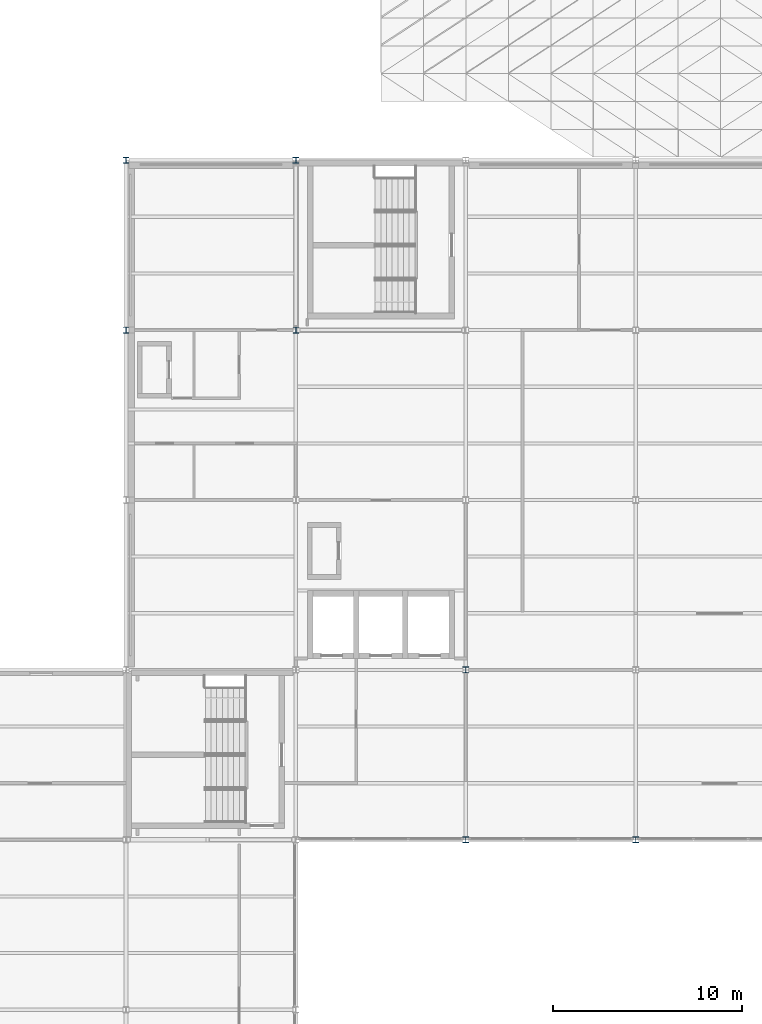
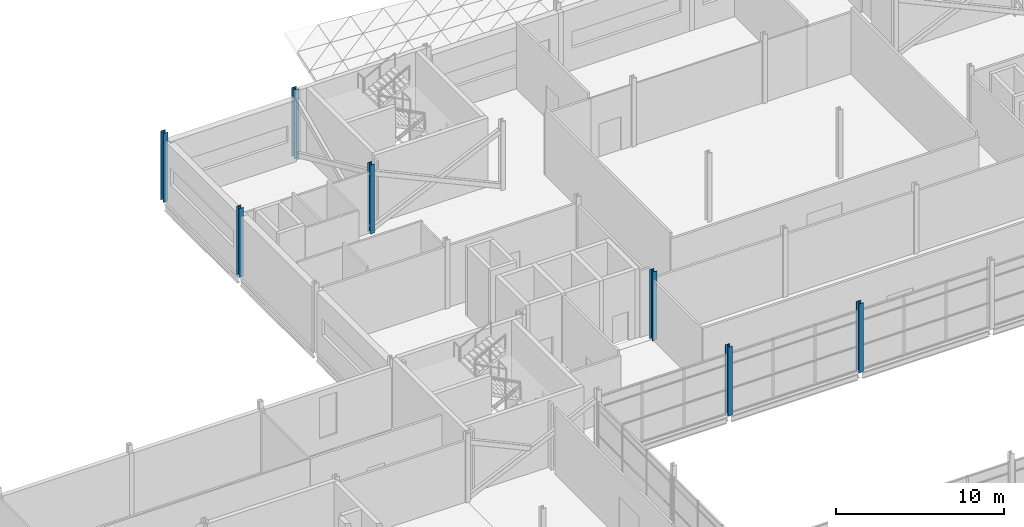
# One storey, part 10 of 112: 7 columns.
"""IFC4 building model written with IfcOpenShell, lengths in metres."""

from ifc_helpers import new_model, si_unit, direction, frame, origin, origin_2d, place, context, subcontext, project, spatial, i_section, extrude, material, material_profile, profile_set, type_object, element, save


model = new_model("IFC4")

# Units and contexts
model_context = context("Model", 3, precision=1e-05, world=origin(), true_north=direction((0.0, 1.0)))
body_context = subcontext(model_context, "Body", "Model", "MODEL_VIEW")
ifc_project = project(units=[si_unit("LENGTHUNIT", "METRE"), si_unit("AREAUNIT", "SQUARE_METRE"), si_unit("VOLUMEUNIT", "CUBIC_METRE"), si_unit("PLANEANGLEUNIT", "RADIAN"), si_unit("MASSUNIT", "GRAM", prefix="KILO")], contexts=[model_context])

# Site, building, storey
site_placement = place(None, origin())
site = spatial("IfcSite", under=ifc_project, at=site_placement, CompositionType="ELEMENT")
building_placement = place(site_placement, origin())
building = spatial("IfcBuilding", under=site, at=building_placement, Name="Shorebreak Coast Museum", CompositionType="ELEMENT")
storey_placement = place(building_placement, frame((0.0, 0.0, 6.0)))
storey = spatial("IfcBuildingStorey", under=building, at=storey_placement, Name="L01", CompositionType="ELEMENT", Elevation=6.0)

# Columns
ifc_material_1 = material(Name="Steel Grade 300", Category="steel")
ifc_material_profile_1 = material_profile(ifc_material_1, i_section(OverallWidth=0.30908203125, OverallDepth=0.320556640625, WebThickness=0.013916015625, FlangeThickness=0.021728515625, FilletRadius=0.0166015625, at=origin_2d()), Name="310UC137")
ifc_profile_set_1 = profile_set([ifc_material_profile_1], Name="Steel Grade 300")
column_type_1 = type_object("IfcColumnType", Name="Column 310UC137", PredefinedType="COLUMN", material=ifc_profile_set_1)
for number, where, z_axis, x_axis, name in (
    (1, (54.0, 108.0, 0.0), (0.0, 0.0, 1.0), (1.0, 0.0, 0.0), "Column L01 7N"),
    (2, (63.0, 108.0, 0.0), (0.0, 0.0, 1.0), (1.0, 0.0, 0.0), "Column L01 8N"),
):
    element("IfcColumn", number, at=place(storey_placement, frame(where, z_axis=z_axis, x_axis=x_axis)), inside=storey, type_object=column_type_1, Name=name, PredefinedType="COLUMN", context=body_context, shape_type="SweptSolid", body=[
        extrude(i_section(OverallWidth=0.30908203125, OverallDepth=0.320556640625, WebThickness=0.013916015625, FlangeThickness=0.021728515625, FilletRadius=0.0166015625, at=origin_2d()), origin(), (0.0, 0.0, 1.0), 5.0),
    ])
ifc_material_2 = material(Name="Steel Grade 300", Category="steel")
ifc_material_profile_2 = material_profile(ifc_material_2, i_section(OverallWidth=0.31103515625, OverallDepth=0.3271484375, WebThickness=0.015625, FlangeThickness=0.02490234375, FilletRadius=0.0166015625, at=origin_2d()), Name="310UC158")
ifc_profile_set_2 = profile_set([ifc_material_profile_2], Name="Steel Grade 300")
column_type_2 = type_object("IfcColumnType", Name="Column 310UC158", PredefinedType="COLUMN", material=ifc_profile_set_2)
for number, where, z_axis, x_axis, name in (
    (3, (72.0, 81.0, 0.0), (0.0, 0.0, 1.0), (1.0, 0.0, 0.0), "Column L01 9K"),
    (4, (81.0, 81.0, 0.0), (0.0, 0.0, 1.0), (1.0, 0.0, 0.0), "Column L01 10K"),
    (5, (72.0, 90.0, 0.0), (0.0, 0.0, 1.0), (1.0, 0.0, 0.0), "Column L01 9L"),
    (6, (54.0, 117.0, 0.0), (0.0, 0.0, 1.0), (1.0, 0.0, 0.0), "Column L01 7P"),
    (7, (63.0, 117.0, 0.0), (0.0, 0.0, 1.0), (1.0, 0.0, 0.0), "Column L01 8P"),
):
    element("IfcColumn", number, at=place(storey_placement, frame(where, z_axis=z_axis, x_axis=x_axis)), inside=storey, type_object=column_type_2, Name=name, PredefinedType="COLUMN", context=body_context, shape_type="SweptSolid", body=[
        extrude(i_section(OverallWidth=0.31103515625, OverallDepth=0.3271484375, WebThickness=0.015625, FlangeThickness=0.02490234375, FilletRadius=0.0166015625, at=origin_2d()), origin(), (0.0, 0.0, 1.0), 5.0),
    ])

save(model, "model.ifc")
